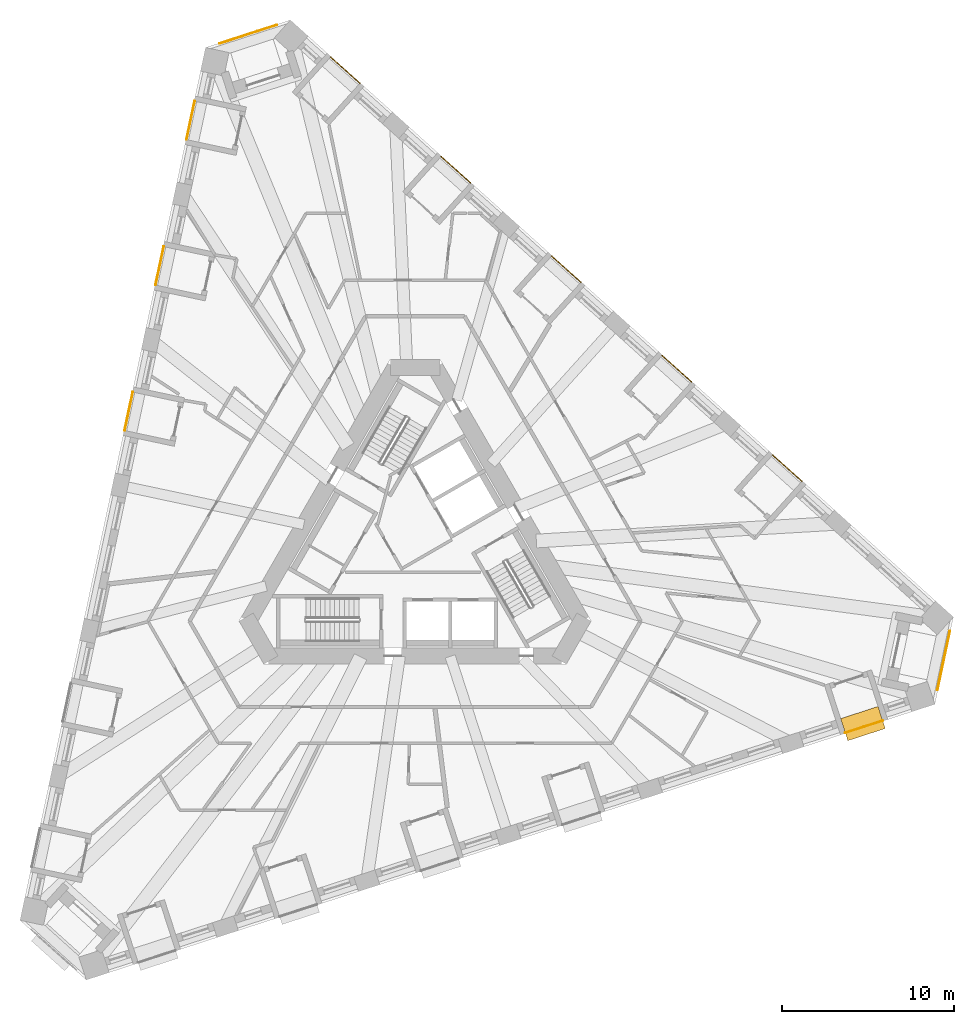
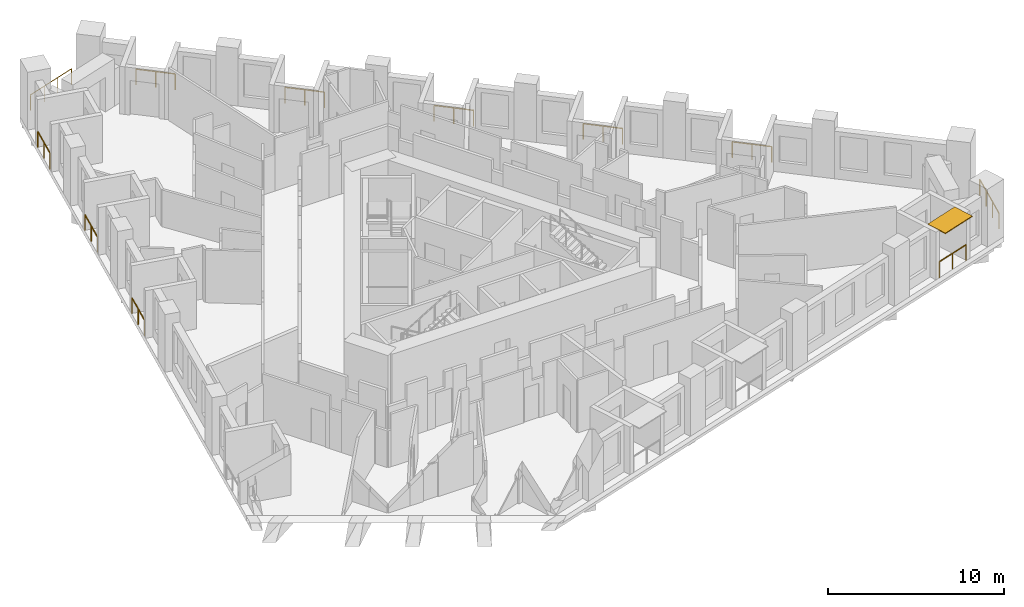
# One storey, part 13 of 13: 11 railings, 1 shading device.
"""IFC4 building model written with IfcOpenShell, lengths in metres."""

import ifcopenshell
import ifcopenshell.guid

model = None  # the IFC model being written
_history = None  # IfcOwnerHistory: only IFC2X3 demands one
_inside = {}  # id of a spatial element -> (the spatial element, [elements in it])
_under = {}  # id of a project, library or spatial element -> (it, [spatial elements below it])
_declared = {}  # id of a project -> (the project, [libraries it declares])
_typed = {}  # id of a type object -> (the type object, [elements of that type])
_made_of = {}  # id of a material, layer set ... -> (it, [elements and type objects made of it])


def new_model(schema):
    """Start an empty IFC model of exactly this schema.

    Asked for "IFC4X3", IfcOpenShell would pick the latest addendum, in which some entities
    have other attributes; the version numbers below select the first issue.
    IFC2X3 requires an IfcOwnerHistory on every rooted entity: one is made here for all.
    """
    global model, _history
    if schema == "IFC4X3":
        model = ifcopenshell.file(schema_version=(4, 3, 0, 0))
    else:
        model = ifcopenshell.file(schema=schema)
    _inside.clear()
    _under.clear()
    _declared.clear()
    _typed.clear()
    _made_of.clear()
    _history = None
    if model.schema == "IFC2X3":
        org = make("IfcOrganization", Name="unknown")
        user = make(
            "IfcPersonAndOrganization",
            ThePerson=make("IfcPerson", FamilyName="unknown"),
            TheOrganization=org,
        )
        app = make(
            "IfcApplication",
            ApplicationDeveloper=org,
            Version="unknown",
            ApplicationFullName="unknown",
            ApplicationIdentifier="unknown",
        )
        _history = make(
            "IfcOwnerHistory",
            OwningUser=user,
            OwningApplication=app,
            ChangeAction="ADDED",
            CreationDate=0,
        )
    return model


def make(cls, **values):
    """One entity of the class cls with the attributes given. An attribute that is None is left unset."""
    return model.create_entity(
        cls, **{name: value for name, value in values.items() if value is not None}
    )


def rooted(cls, **values):
    """An entity with a GlobalId (a new one), such as an element, a storey or a relation."""
    return make(cls, GlobalId=ifcopenshell.guid.new(), OwnerHistory=_history, **values)


def si_unit(unit_type, name, prefix=None):
    """IfcSIUnit, for example si_unit("LENGTHUNIT", "METRE", prefix="MILLI")."""
    return make("IfcSIUnit", UnitType=unit_type, Prefix=prefix, Name=name)


def assignment(units):
    """IfcUnitAssignment: the units of a project."""
    return None if units is None else make("IfcUnitAssignment", Units=units)


def point(xyz):
    """IfcCartesianPoint."""
    return None if xyz is None else make("IfcCartesianPoint", Coordinates=xyz)


def direction(xyz):
    """IfcDirection."""
    return None if xyz is None else make("IfcDirection", DirectionRatios=xyz)


def frame(location, z_axis=None, x_axis=None):
    """IfcAxis2Placement3D, a coordinate frame: its origin and axes. An axis left out is left unset."""
    return make(
        "IfcAxis2Placement3D",
        Location=point(location),
        Axis=direction(z_axis),
        RefDirection=direction(x_axis),
    )


def frame_2d(location, x_axis=None):
    """IfcAxis2Placement2D, a coordinate frame in the plane: its origin and x axis."""
    return make(
        "IfcAxis2Placement2D", Location=point(location), RefDirection=direction(x_axis)
    )


def origin():
    """The frame at (0, 0, 0) with its axes left unset."""
    return frame((0.0, 0.0, 0.0))


def origin_2d():
    """The frame at (0, 0) in the plane with its x axis left unset."""
    return frame_2d((0.0, 0.0))


def place(relative_to, where):
    """IfcLocalPlacement: puts the frame where relative to a parent placement (None: the world)."""
    return make(
        "IfcLocalPlacement", PlacementRelTo=relative_to, RelativePlacement=where
    )


def context(
    kind, dimensions, precision=None, world=None, true_north=None, identifier=None
):
    """IfcGeometricRepresentationContext, for example the 3D "Model" context."""
    return make(
        "IfcGeometricRepresentationContext",
        ContextIdentifier=identifier,
        ContextType=kind,
        CoordinateSpaceDimension=dimensions,
        Precision=precision,
        WorldCoordinateSystem=world,
        TrueNorth=true_north,
    )


def subcontext(parent, identifier, kind, view, scale=None):
    """IfcGeometricRepresentationSubContext, for example "Body" below "Model"."""
    return make(
        "IfcGeometricRepresentationSubContext",
        ContextIdentifier=identifier,
        ContextType=kind,
        ParentContext=parent,
        TargetScale=scale,
        TargetView=view,
    )


def project(units=None, contexts=None):
    """IfcProject with its units and contexts."""
    return rooted(
        "IfcProject",
        Name="project",
        RepresentationContexts=contexts,
        UnitsInContext=assignment(units),
    )


def spatial(cls, under=None, at=None, **own):
    """A site, building, storey or space (cls), placed at a placement, below another one or the project."""
    s = rooted(cls, ObjectPlacement=at, **own)
    if under is not None:
        _under.setdefault(under.id(), (under, []))[1].append(s)
    return s


def profile(cls, at=None, kind="AREA", **sizes):
    """A parametric profile (cls). Its sizes go by their IFC names, for example OverallWidth=200.0."""
    return make(cls, ProfileType=kind, Position=at, **sizes)


def rectangle(**sizes):
    """IfcRectangleProfileDef."""
    return profile("IfcRectangleProfileDef", **sizes)


def circle(**sizes):
    """IfcCircleProfileDef."""
    return profile("IfcCircleProfileDef", **sizes)


def extrude(swept, where, along, depth):
    """IfcExtrudedAreaSolid: the profile swept, set in the frame where, extruded along a direction by depth."""
    return make(
        "IfcExtrudedAreaSolid",
        SweptArea=swept,
        Position=where,
        ExtrudedDirection=direction(along),
        Depth=depth,
    )


def shape(context_of_items, identifier, shape_type, items):
    """IfcShapeRepresentation: the items that make up one representation, for example the "Body"."""
    return make(
        "IfcShapeRepresentation",
        ContextOfItems=context_of_items,
        RepresentationIdentifier=identifier,
        RepresentationType=shape_type,
        Items=items,
    )


def material(Name=None, Category=None):
    """IfcMaterial."""
    return make("IfcMaterial", Name=Name, Category=Category)


def layer(
    of_material, thickness, ventilated=None, Name=None, Category=None, Priority=None
):
    """IfcMaterialLayer: one layer of a wall or slab, of a material (None: an air gap)."""
    return make(
        "IfcMaterialLayer",
        Material=of_material,
        LayerThickness=thickness,
        IsVentilated=ventilated,
        Name=Name,
        Category=Category,
        Priority=Priority,
    )


def layer_set(layers, Name=None):
    """IfcMaterialLayerSet."""
    return make("IfcMaterialLayerSet", MaterialLayers=layers, LayerSetName=Name)


def made_of(thing, what):
    """Note that an element or type object is made of a material, layer set ...; save() writes the relation."""
    if what is not None:
        _made_of.setdefault(what.id(), (what, []))[1].append(thing)
    return thing


def type_object(cls, material=None, **own):
    """A type object (cls), such as IfcWallType, which elements share."""
    return made_of(rooted(cls, **own), material)


def element(
    cls,
    number,
    at=None,
    inside=None,
    cuts=None,
    type_object=None,
    material=None,
    context=None,
    identifier="Body",
    shape_type=None,
    held_by="IfcProductDefinitionShape",
    body=None,
    shapes=None,
    **own,
):
    """One element of the class cls, such as IfcWall. Its Tag is "e" and its number.

    at: its placement. inside: the storey or other place that contains it. cuts: it is an
    opening in that element (IfcRelVoidsElement). A single representation is given by context,
    identifier, shape_type and body (its items); several are given by shapes. held_by: the class
    of the entity that holds the representations. save() writes the other relations.
    """
    e = rooted(cls, Tag="e%d" % number, ObjectPlacement=at, **own)
    if body is not None:
        shapes = [shape(context, identifier, shape_type, body)]
    if shapes is not None:
        e.Representation = make(held_by, Representations=shapes)
    if inside is not None:
        _inside.setdefault(inside.id(), (inside, []))[1].append(e)
    if cuts is not None:
        rooted(
            "IfcRelVoidsElement", RelatingBuildingElement=cuts, RelatedOpeningElement=e
        )
    if type_object is not None:
        _typed.setdefault(type_object.id(), (type_object, []))[1].append(e)
    return made_of(e, material)


def aggregate(whole, parts):
    """IfcRelAggregates: a whole, such as a stair, and the parts it consists of."""
    return rooted("IfcRelAggregates", RelatingObject=whole, RelatedObjects=parts)


def save(model, path):
    """Write the relations noted so far, then the file.

    IfcRelAggregates (storeys below a building ...), IfcRelContainedInSpatialStructure (elements
    in a storey), IfcRelDefinesByType, IfcRelAssociatesMaterial and IfcRelDeclares: one each for
    every whole, place, type object, material and project.
    """
    for whole, parts in _under.values():
        aggregate(whole, parts)
    for where, things in _inside.values():
        rooted(
            "IfcRelContainedInSpatialStructure",
            RelatedElements=things,
            RelatingStructure=where,
        )
    for kind, things in _typed.values():
        rooted("IfcRelDefinesByType", RelatedObjects=things, RelatingType=kind)
    for what, things in _made_of.values():
        rooted("IfcRelAssociatesMaterial", RelatedObjects=things, RelatingMaterial=what)
    for by, libraries in _declared.values():
        rooted("IfcRelDeclares", RelatingContext=by, RelatedDefinitions=libraries)
    model.write(path)


model = new_model("IFC4")

# Units and contexts
model_context = context("Model", 3, precision=1e-05, world=origin(), true_north=direction((0.0, 1.0)))
body_context = subcontext(model_context, "Body", "Model", "MODEL_VIEW")
ifc_project = project(units=[si_unit("LENGTHUNIT", "METRE"), si_unit("AREAUNIT", "SQUARE_METRE"), si_unit("VOLUMEUNIT", "CUBIC_METRE"), si_unit("PLANEANGLEUNIT", "RADIAN"), si_unit("MASSUNIT", "GRAM", prefix="KILO")], contexts=[model_context])

# Site, building, storey
site_placement = place(None, origin())
site = spatial("IfcSite", under=ifc_project, at=site_placement, CompositionType="ELEMENT")
building_placement = place(site_placement, origin())
building = spatial("IfcBuilding", under=site, at=building_placement, Name="Tramontana Tower", CompositionType="ELEMENT")
storey_placement = place(building_placement, frame((0.0, 0.0, 108.39990234375)))
storey = spatial("IfcBuildingStorey", under=building, at=storey_placement, Name="L24", CompositionType="ELEMENT", Elevation=108.39990234375)

# Railings
ifc_material_1 = material(Name="Laminated glass balustrade", Category="glass")
railing_type = type_object("IfcRailingType", Name="GD1 Loggia glass balustrade 1100", PredefinedType="BALUSTRADE", material=ifc_material_1)
railing_1_placement = place(storey_placement, frame((-12.838134765625, 26.031982421875, 0.0)))
element("IfcRailing", 1, at=railing_1_placement, inside=storey, type_object=railing_type, Name="Loggia balustrade L24 G2S0.1", PredefinedType="BALUSTRADE", context=body_context, shape_type="SweptSolid", body=[
    extrude(circle(Radius=0.02392578125, at=origin_2d()), frame((0.0, 0.0, 1.076171875), z_axis=(-0.207990282514, -0.978130892253, 0.0), x_axis=(0.978130892253, -0.207990282514, 0.0)), (0.0, 0.0, 1.0), 2.28662109375),
    extrude(circle(Radius=0.02099609375, at=origin_2d()), origin(), (0.0, 0.0, 1.0), 1.052001953125),
    extrude(circle(Radius=0.02099609375, at=origin_2d()), frame((-0.23779296875, -1.1181640625, 0.0)), (0.0, 0.0, 1.0), 1.052001953125),
    extrude(circle(Radius=0.02099609375, at=origin_2d()), frame((-0.4755859375, -2.236572265625, 0.0)), (0.0, 0.0, 1.0), 1.052001953125),
])
for number, where, name in (
    (2, (-14.638671875, 17.56103515625, 0.0), "Loggia balustrade L24 G2S0.4"),
    (3, (-16.439208984375, 9.090087890625, 0.0), "Loggia balustrade L24 G2S0.7"),
):
    element("IfcRailing", number, at=place(storey_placement, frame(where)), inside=storey, type_object=railing_type, Name=name, PredefinedType="BALUSTRADE", context=body_context, shape_type="SweptSolid", body=[
        extrude(circle(Radius=0.02392578125, at=origin_2d()), frame((0.0, 0.0, 1.076171875), z_axis=(-0.207968563016, -0.978135510447, 0.0), x_axis=(0.978135510447, -0.207968563016, 0.0)), (0.0, 0.0, 1.0), 2.286865234375),
        extrude(circle(Radius=0.02099609375, at=origin_2d()), origin(), (0.0, 0.0, 1.0), 1.052001953125),
        extrude(circle(Radius=0.02099609375, at=origin_2d()), frame((-0.23779296875, -1.118408203125, 0.0)), (0.0, 0.0, 1.0), 1.052001953125),
        extrude(circle(Radius=0.02099609375, at=origin_2d()), frame((-0.4755859375, -2.23681640625, 0.0)), (0.0, 0.0, 1.0), 1.052001953125),
    ])
railing_2_placement = place(storey_placement, frame((25.056640625, -10.75341796875, 0.0)))
element("IfcRailing", 4, at=railing_2_placement, inside=storey, type_object=railing_type, Name="Loggia balustrade L24 G2S1.16", PredefinedType="BALUSTRADE", context=body_context, shape_type="SweptSolid", body=[
    extrude(circle(Radius=0.02392578125, at=origin_2d()), frame((0.0, 0.0, 1.076171875), z_axis=(0.95103720697, 0.309076416051, 0.0), x_axis=(-0.309076416051, 0.95103720697, 0.0)), (0.0, 0.0, 1.0), 2.286865234375),
    extrude(circle(Radius=0.02099609375, at=origin_2d()), origin(), (0.0, 0.0, 1.0), 1.052001953125),
    extrude(circle(Radius=0.02099609375, at=origin_2d()), frame((1.08740234375, 0.353515625, 0.0)), (0.0, 0.0, 1.0), 1.052001953125),
    extrude(circle(Radius=0.02099609375, at=origin_2d()), frame((2.1748046875, 0.706787109375, 0.0)), (0.0, 0.0, 1.0), 1.052001953125),
])
for number, where, name in (
    (5, (22.527587890625, 3.89697265625, 0.0), "Loggia balustrade L24 G2S2.4"),
    (6, (16.091796875, 9.69189453125, 0.0), "Loggia balustrade L24 G2S2.7"),
):
    element("IfcRailing", number, at=place(storey_placement, frame(where)), inside=storey, type_object=railing_type, Name=name, PredefinedType="BALUSTRADE", context=body_context, shape_type="SweptSolid", body=[
        extrude(circle(Radius=0.02392578125, at=origin_2d()), frame((0.0, 0.0, 1.076171875), z_axis=(-0.743134851659, 0.66914168324, 0.0), x_axis=(-0.66914168324, -0.743134851659, 0.0)), (0.0, 0.0, 1.0), 2.28662109375),
        extrude(circle(Radius=0.02099609375, at=origin_2d()), origin(), (0.0, 0.0, 1.0), 1.052001953125),
        extrude(circle(Radius=0.02099609375, at=origin_2d()), frame((-0.849609375, 0.76513671875, 0.0)), (0.0, 0.0, 1.0), 1.052001953125),
        extrude(circle(Radius=0.02099609375, at=origin_2d()), frame((-1.69921875, 1.530029296875, 0.0)), (0.0, 0.0, 1.0), 1.052001953125),
    ])
railing_3_placement = place(storey_placement, frame((9.656005859375, 15.486572265625, 0.0)))
element("IfcRailing", 7, at=railing_3_placement, inside=storey, type_object=railing_type, Name="Loggia balustrade L24 G2S2.10", PredefinedType="BALUSTRADE", context=body_context, shape_type="SweptSolid", body=[
    extrude(circle(Radius=0.02392578125, at=origin_2d()), frame((0.0, 0.0, 1.076171875), z_axis=(-0.743081759278, 0.669200641832, 0.0), x_axis=(-0.669200641832, -0.743081759278, 0.0)), (0.0, 0.0, 1.0), 2.28662109375),
    extrude(circle(Radius=0.02099609375, at=origin_2d()), origin(), (0.0, 0.0, 1.0), 1.052001953125),
    extrude(circle(Radius=0.02099609375, at=origin_2d()), frame((-0.849609375, 0.76513671875, 0.0)), (0.0, 0.0, 1.0), 1.052001953125),
    extrude(circle(Radius=0.02099609375, at=origin_2d()), frame((-1.69921875, 1.5302734375, 0.0)), (0.0, 0.0, 1.0), 1.052001953125),
])
for number, where, name in (
    (8, (3.22021484375, 21.281494140625, 0.0), "Loggia balustrade L24 G2S2.13"),
    (9, (-3.215576171875, 27.076416015625, 0.0), "Loggia balustrade L24 G2S2.16"),
):
    element("IfcRailing", number, at=place(storey_placement, frame(where)), inside=storey, type_object=railing_type, Name=name, PredefinedType="BALUSTRADE", context=body_context, shape_type="SweptSolid", body=[
        extrude(circle(Radius=0.02392578125, at=origin_2d()), frame((0.0, 0.0, 1.076171875), z_axis=(-0.743182653308, 0.669088591909, 0.0), x_axis=(-0.669088591909, -0.743182653308, 0.0)), (0.0, 0.0, 1.0), 2.28662109375),
        extrude(circle(Radius=0.02099609375, at=origin_2d()), origin(), (0.0, 0.0, 1.0), 1.052001953125),
        extrude(circle(Radius=0.02099609375, at=origin_2d()), frame((-0.849609375, 0.76513671875, 0.0)), (0.0, 0.0, 1.0), 1.052001953125),
        extrude(circle(Radius=0.02099609375, at=origin_2d()), frame((-1.699462890625, 1.530029296875, 0.0)), (0.0, 0.0, 1.0), 1.052001953125),
    ])
railing_4_placement = place(storey_placement, frame((-11.38916015625, 29.388916015625, 0.0)))
element("IfcRailing", 10, at=railing_4_placement, inside=storey, type_object=railing_type, Name="Corner loggia balustrade L24 K20", PredefinedType="BALUSTRADE", context=body_context, shape_type="SweptSolid", body=[
    extrude(circle(Radius=0.02392578125, at=origin_2d()), frame((0.0, 0.0, 1.076171875), z_axis=(0.951062257173, 0.308999325213, 0.0), x_axis=(-0.308999325213, 0.951062257173, 0.0)), (0.0, 0.0, 1.0), 3.500244140625),
    extrude(circle(Radius=0.02099609375, at=origin_2d()), origin(), (0.0, 0.0, 1.0), 1.052001953125),
    extrude(circle(Radius=0.02099609375, at=origin_2d()), frame((1.109619140625, 0.360595703125, 0.0)), (0.0, 0.0, 1.0), 1.052001953125),
    extrude(circle(Radius=0.02099609375, at=origin_2d()), frame((2.21923828125, 0.720947265625, 0.0)), (0.0, 0.0, 1.0), 1.052001953125),
    extrude(circle(Radius=0.02099609375, at=origin_2d()), frame((3.328857421875, 1.08154296875, 0.0)), (0.0, 0.0, 1.0), 1.052001953125),
])
railing_5_placement = place(storey_placement, frame((31.146240234375, -4.831298828125, 0.0)))
element("IfcRailing", 11, at=railing_5_placement, inside=storey, type_object=railing_type, Name="Corner loggia balustrade L24 K22", PredefinedType="BALUSTRADE", context=body_context, shape_type="SweptSolid", body=[
    extrude(circle(Radius=0.02392578125, at=origin_2d()), frame((0.0, 0.0, 1.076171875), z_axis=(-0.207947190288, -0.978140054415, 0.0), x_axis=(0.978140054415, -0.207947190288, 0.0)), (0.0, 0.0, 1.0), 3.499755859375),
    extrude(circle(Radius=0.02099609375, at=origin_2d()), origin(), (0.0, 0.0, 1.0), 1.052001953125),
    extrude(circle(Radius=0.02099609375, at=origin_2d()), frame((-0.24267578125, -1.14111328125, 0.0)), (0.0, 0.0, 1.0), 1.052001953125),
    extrude(circle(Radius=0.02099609375, at=origin_2d()), frame((-0.485107421875, -2.2822265625, 0.0)), (0.0, 0.0, 1.0), 1.052001953125),
    extrude(circle(Radius=0.02099609375, at=origin_2d()), frame((-0.727783203125, -3.42333984375, 0.0)), (0.0, 0.0, 1.0), 1.052001953125),
])

# Shading device
ifc_material_2 = material(Name="Precast concrete 60 MPa", Category="concrete")
ifc_layer = layer(ifc_material_2, 0.06005859375)
ifc_layer_set = layer_set([ifc_layer], Name="SS1 Stone sunshade blade 60")
shading_device_type = type_object("IfcShadingDeviceType", Name="SS1 Stone sunshade blade 60", PredefinedType="USERDEFINED", material=ifc_layer_set)
shading_device_placement = place(storey_placement, frame((26.083740234375, -10.214599609375, 3.239990234375), z_axis=(0.0, 0.0, 1.0), x_axis=(0.951056516295, 0.309016994375, 0.0)))
element("IfcShadingDevice", 12, at=shading_device_placement, inside=storey, type_object=shading_device_type, Name="Sunshade L24 G2S1.16", ObjectType="SUNSHADE", PredefinedType="USERDEFINED", context=body_context, shape_type="SweptSolid", body=[
    extrude(rectangle(XDim=2.286865234375, YDim=1.35009765625, at=origin_2d()), origin(), (0.0, 0.0, 1.0), 0.06005859375),
])

save(model, "model.ifc")
